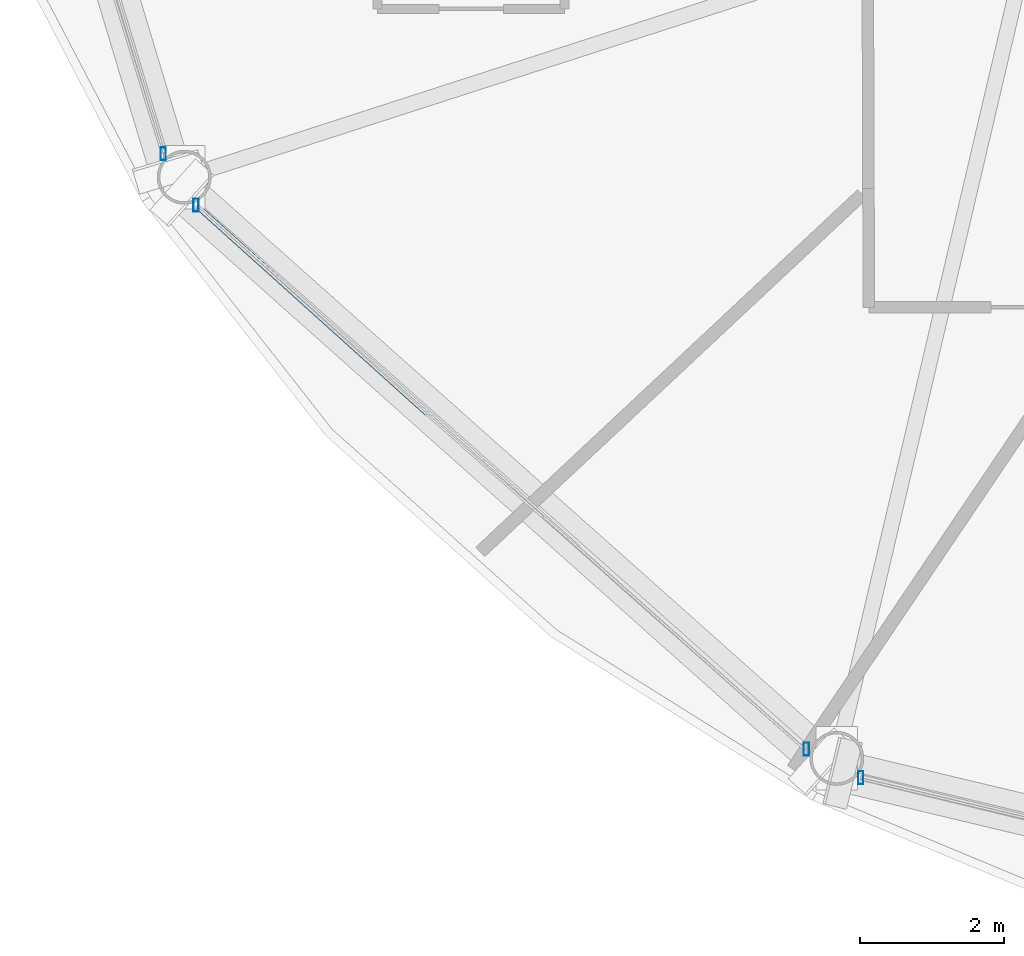
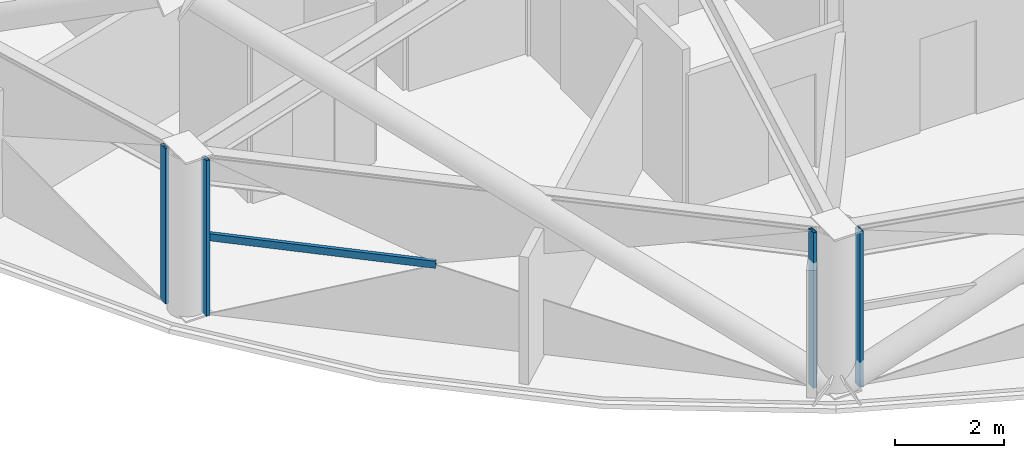
# One storey, part 2 of 29: 5 members, 3 elements without a shape of their own.
"""IFC4 building model written with IfcOpenShell, lengths in metres."""

from ifc_helpers import new_model, si_unit, direction, frame, origin, origin_2d, place, context, subcontext, project, spatial, hollow_rectangle, extrude, material, layer, layer_set, material_profile, profile_set, type_object, element, aggregate, save


model = new_model("IFC4")

# Units and contexts
model_context = context("Model", 3, precision=1e-05, world=origin(), true_north=direction((0.0, 1.0)))
body_context = subcontext(model_context, "Body", "Model", "MODEL_VIEW")
ifc_project = project(units=[si_unit("LENGTHUNIT", "METRE"), si_unit("AREAUNIT", "SQUARE_METRE"), si_unit("VOLUMEUNIT", "CUBIC_METRE"), si_unit("PLANEANGLEUNIT", "RADIAN"), si_unit("MASSUNIT", "GRAM", prefix="KILO")], contexts=[model_context])

# Site, building, storey
site_placement = place(None, origin())
site = spatial("IfcSite", under=ifc_project, at=site_placement, CompositionType="ELEMENT")
building_placement = place(site_placement, origin())
building = spatial("IfcBuilding", under=site, at=building_placement, Name="Vantalir Tower", CompositionType="ELEMENT")
storey_placement = place(building_placement, frame((0.0, 0.0, 149.699951171875)))
storey = spatial("IfcBuildingStorey", under=building, at=storey_placement, Name="L37", CompositionType="ELEMENT", Elevation=149.699951171875)

# Curtain wall, member
ifc_material_1 = material(Name="Champagne-silver PVDF aluminium and double-silver Low-E glass", Category="aluminium")
ifc_layer = layer(ifc_material_1, 0.199951171875)
ifc_layer_set = layer_set([ifc_layer], Name="Champagne-silver PVDF aluminium and double-silver Low-E glass")
curtain_wall_type = type_object("IfcCurtainWallType", Name="CW-DIAMOND-Z2", PredefinedType="USERDEFINED", material=ifc_layer_set)
curtain_wall_1_placement = place(storey_placement, origin())
curtain_wall_1 = element("IfcCurtainWall", 1, at=curtain_wall_1_placement, inside=storey, type_object=curtain_wall_type, Name="L37 Quilted Pyramid-Diamond Curtain Wall S07", ObjectType="UNITISED CURTAIN WALL", PredefinedType="USERDEFINED")
ifc_material_2 = material(Name="Champagne-silver PVDF aluminium 6063-T6", Category="aluminium")
ifc_material_profile_1 = material_profile(ifc_material_2, hollow_rectangle(XDim=0.074951171875, YDim=0.179931640625, WallThickness=0.00390625, at=origin_2d()), Name="Champagne-silver PVDF aluminium 6063-T6")
ifc_profile_set_1 = profile_set([ifc_material_profile_1], Name="Champagne-silver PVDF aluminium 6063-T6")
member_type_1 = type_object("IfcMemberType", Name="CWM-180x75", PredefinedType="MULLION", material=ifc_profile_set_1)
member_1_placement = place(storey_placement, frame((9.74609375, 14.291015625, 0.045166015625), z_axis=(0.0, 0.0, 1.0), x_axis=(1.0, 0.0, 0.0)))
member_1 = element("IfcMember", 2, at=member_1_placement, type_object=member_type_1, Name="CW-L37-S07 Mullion 2", PredefinedType="MULLION", context=body_context, shape_type="SweptSolid", body=[
    extrude(hollow_rectangle(XDim=0.074951171875, YDim=0.179931640625, WallThickness=0.00390625, at=origin_2d()), origin(), (0.0, 0.0, 1.0), 3.47998046875),
])
aggregate(curtain_wall_1, [member_1])

# Curtain wall, members
curtain_wall_2_placement = place(storey_placement, origin())
curtain_wall_2 = element("IfcCurtainWall", 3, at=curtain_wall_2_placement, inside=storey, type_object=curtain_wall_type, Name="L37 Quilted Pyramid-Diamond Curtain Wall S08", ObjectType="UNITISED CURTAIN WALL", PredefinedType="USERDEFINED")
member_2_placement = place(storey_placement, frame((10.200927734375, 13.576904296875, 0.045166015625), z_axis=(0.0, 0.0, 1.0), x_axis=(1.0, 0.0, 0.0)))
member_2 = element("IfcMember", 4, at=member_2_placement, type_object=member_type_1, Name="CW-L37-S08 Mullion 1", PredefinedType="MULLION", context=body_context, shape_type="SweptSolid", body=[
    extrude(hollow_rectangle(XDim=0.074951171875, YDim=0.179931640625, WallThickness=0.00390625, at=origin_2d()), origin(), (0.0, 0.0, 1.0), 3.47998046875),
])
member_3_placement = place(storey_placement, frame((18.68505859375, 6.01611328125, 0.045166015625), z_axis=(0.0, 0.0, 1.0), x_axis=(1.0, 0.0, 0.0)))
member_3 = element("IfcMember", 5, at=member_3_placement, type_object=member_type_1, Name="CW-L37-S08 Mullion 2", PredefinedType="MULLION", context=body_context, shape_type="SweptSolid", body=[
    extrude(hollow_rectangle(XDim=0.074951171875, YDim=0.179931640625, WallThickness=0.00390625, at=origin_2d()), origin(), (0.0, 0.0, 1.0), 3.47998046875),
])

# Curtain wall, member
curtain_wall_3_placement = place(storey_placement, origin())
curtain_wall_3 = element("IfcCurtainWall", 6, at=curtain_wall_3_placement, inside=storey, type_object=curtain_wall_type, Name="L37 Quilted Pyramid-Diamond Curtain Wall S09", ObjectType="UNITISED CURTAIN WALL", PredefinedType="USERDEFINED")
member_4_placement = place(storey_placement, frame((19.44091796875, 5.62109375, 0.045166015625), z_axis=(0.0, 0.0, 1.0), x_axis=(1.0, 0.0, 0.0)))
member_4 = element("IfcMember", 7, at=member_4_placement, type_object=member_type_1, Name="CW-L37-S09 Mullion 1", PredefinedType="MULLION", context=body_context, shape_type="SweptSolid", body=[
    extrude(hollow_rectangle(XDim=0.074951171875, YDim=0.179931640625, WallThickness=0.00390625, at=origin_2d()), origin(), (0.0, 0.0, 1.0), 3.47998046875),
])
aggregate(curtain_wall_3, [member_4])

# Member
ifc_material_profile_2 = material_profile(ifc_material_2, hollow_rectangle(XDim=0.074951171875, YDim=0.159912109375, WallThickness=0.00390625, at=origin_2d()), Name="Champagne-silver PVDF aluminium 6063-T6")
ifc_profile_set_2 = profile_set([ifc_material_profile_2], Name="Champagne-silver PVDF aluminium 6063-T6")
member_type_2 = type_object("IfcMemberType", Name="CWT-160x75", PredefinedType="USERDEFINED", material=ifc_profile_set_2)
member_5_placement = place(storey_placement, frame((10.200927734375, 13.576904296875, 1.78515625), z_axis=(0.742905711405, -0.669396074056, 0.0), x_axis=(0.669396074056, 0.742905711405, 0.0)))
member_5 = element("IfcMember", 8, at=member_5_placement, type_object=member_type_2, Name="CW-L37-S08 Pyramid Fold Ridge Transom", ObjectType="TRANSOM", PredefinedType="USERDEFINED", context=body_context, shape_type="SweptSolid", body=[
    extrude(hollow_rectangle(XDim=0.074951171875, YDim=0.159912109375, WallThickness=0.00390625, at=origin_2d()), origin(), (0.0, 0.0, 1.0), 4.314208984375),
])

aggregate(curtain_wall_2, [member_2, member_3, member_5])

save(model, "model.ifc")
